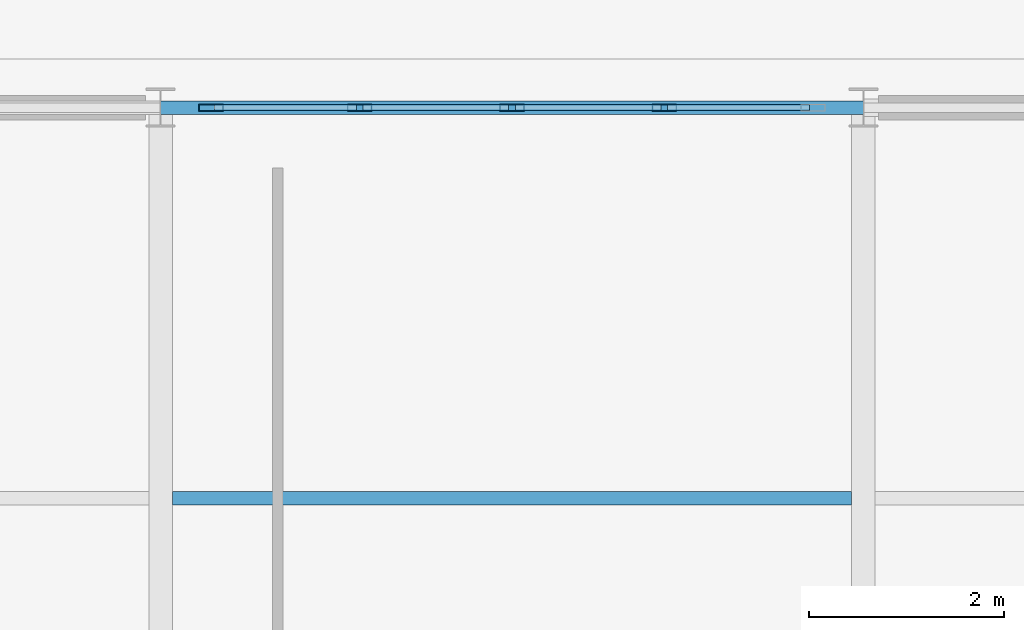
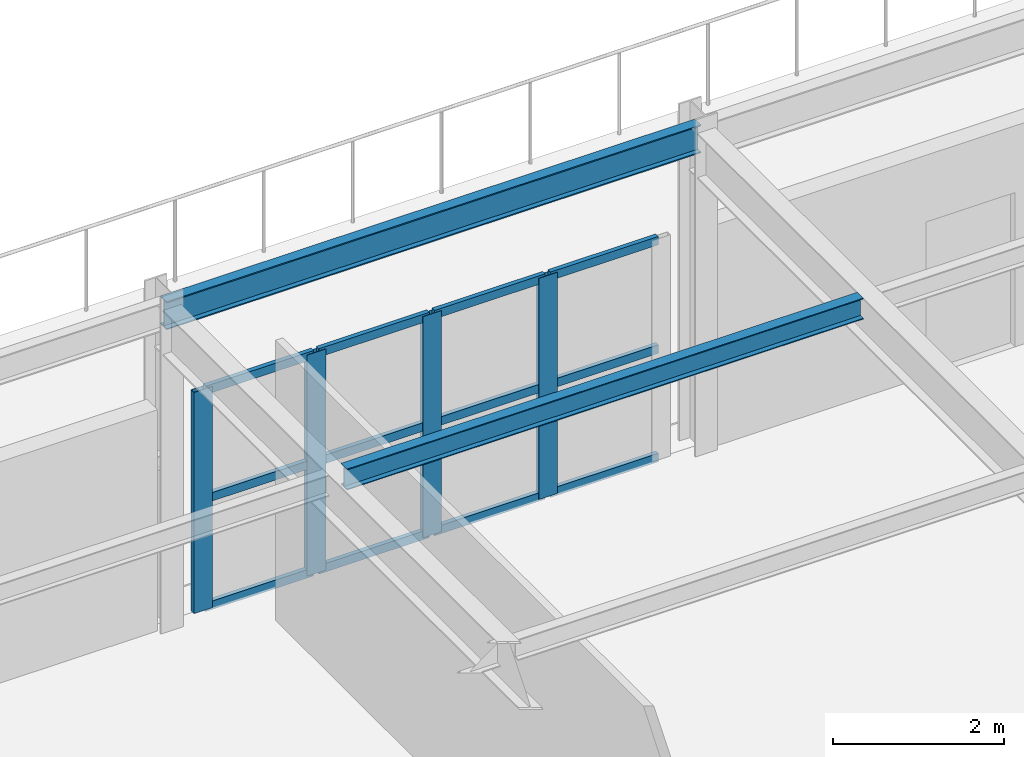
# One storey, part 18 of 41: 16 members, 2 beams, 1 element without a shape of its own.
"""IFC4 building model written with IfcOpenShell, lengths in metres."""

from ifc_helpers import new_model, si_unit, direction, frame, origin, origin_2d, place, context, subcontext, project, spatial, hollow_rectangle, i_section, extrude, material, layer, layer_set, material_profile, profile_set, type_object, element, aggregate, save


model = new_model("IFC4")

# Units and contexts
model_context = context("Model", 3, precision=1e-05, world=origin(), true_north=direction((0.0, 1.0)))
body_context = subcontext(model_context, "Body", "Model", "MODEL_VIEW")
ifc_project = project(units=[si_unit("LENGTHUNIT", "METRE"), si_unit("AREAUNIT", "SQUARE_METRE"), si_unit("VOLUMEUNIT", "CUBIC_METRE"), si_unit("PLANEANGLEUNIT", "RADIAN"), si_unit("MASSUNIT", "GRAM", prefix="KILO")], contexts=[model_context])

# Site, building, storey
site_placement = place(None, origin())
site = spatial("IfcSite", under=ifc_project, at=site_placement, CompositionType="ELEMENT")
building_placement = place(site_placement, origin())
building = spatial("IfcBuilding", under=site, at=building_placement, Name="Solvadek Multi-Sports Hall", CompositionType="ELEMENT")
storey_placement = place(building_placement, frame((0.0, 0.0, 14.39990234375)))
storey = spatial("IfcBuildingStorey", under=building, at=storey_placement, Name="L03", CompositionType="ELEMENT", Elevation=14.39990234375)

# Curtain wall, members
ifc_material_1 = material(Name="Anodised aluminium", Category="aluminium")
ifc_layer = layer(ifc_material_1, 0.159912109375, Name="Anodised aluminium")
ifc_layer_set = layer_set([ifc_layer], Name="Anodised aluminium")
curtain_wall_type = type_object("IfcCurtainWallType", Name="ENV-CW-624X315", PredefinedType="USERDEFINED", material=ifc_layer_set)
curtain_wall_placement = place(storey_placement, origin())
curtain_wall = element("IfcCurtainWall", 1, at=curtain_wall_placement, inside=storey, type_object=curtain_wall_type, Name="L03 Perimeter Bay Curtain Wall #206", ObjectType="CURTAIN WALL", PredefinedType="USERDEFINED")
ifc_material_profile_1 = material_profile(ifc_material_1, hollow_rectangle(XDim=0.070068359375, YDim=0.25, WallThickness=0.0048828125, at=origin_2d()), Name="ALU-M 250x70x5")
ifc_profile_set_1 = profile_set([ifc_material_profile_1], Name="Anodised aluminium")
member_type_1 = type_object("IfcMemberType", Name="ENV-CWM-05", PredefinedType="MULLION", material=ifc_profile_set_1)
member_1_placement = place(storey_placement, frame((29.31494140625, 104.39990234375, 0.0), z_axis=(0.0, 0.0, 1.0), x_axis=(0.0, 1.0, 0.0)))
member_1 = element("IfcMember", 2, at=member_1_placement, type_object=member_type_1, Name="CW-44 mullion 1", PredefinedType="MULLION", context=body_context, shape_type="SweptSolid", body=[
    extrude(hollow_rectangle(XDim=0.070068359375, YDim=0.25, WallThickness=0.0048828125, at=origin_2d()), origin(), (0.0, 0.0, 1.0), 3.150146484375),
])
member_2_placement = place(storey_placement, frame((30.840087890625, 104.39990234375, 0.0), z_axis=(0.0, 0.0, 1.0), x_axis=(0.0, 1.0, 0.0)))
member_2 = element("IfcMember", 3, at=member_2_placement, type_object=member_type_1, Name="CW-44 mullion 2", PredefinedType="MULLION", context=body_context, shape_type="SweptSolid", body=[
    extrude(hollow_rectangle(XDim=0.070068359375, YDim=0.25, WallThickness=0.0048828125, at=origin_2d()), origin(), (0.0, 0.0, 1.0), 3.150146484375),
])
member_3_placement = place(storey_placement, frame((32.39990234375, 104.39990234375, 0.0), z_axis=(0.0, 0.0, 1.0), x_axis=(0.0, 1.0, 0.0)))
member_3 = element("IfcMember", 4, at=member_3_placement, type_object=member_type_1, Name="CW-44 mullion 3", PredefinedType="MULLION", context=body_context, shape_type="SweptSolid", body=[
    extrude(hollow_rectangle(XDim=0.070068359375, YDim=0.25, WallThickness=0.0048828125, at=origin_2d()), origin(), (0.0, 0.0, 1.0), 3.150146484375),
])
member_4_placement = place(storey_placement, frame((33.9599609375, 104.39990234375, 0.0), z_axis=(0.0, 0.0, 1.0), x_axis=(0.0, 1.0, 0.0)))
member_4 = element("IfcMember", 5, at=member_4_placement, type_object=member_type_1, Name="CW-44 mullion 4", PredefinedType="MULLION", context=body_context, shape_type="SweptSolid", body=[
    extrude(hollow_rectangle(XDim=0.070068359375, YDim=0.25, WallThickness=0.0048828125, at=origin_2d()), origin(), (0.0, 0.0, 1.0), 3.150146484375),
])
ifc_material_profile_2 = material_profile(ifc_material_1, hollow_rectangle(XDim=0.06005859375, YDim=0.1201171875, WallThickness=0.00390625, at=origin_2d()), Name="ALU-T 120x60x4")
ifc_profile_set_2 = profile_set([ifc_material_profile_2], Name="Anodised aluminium")
member_type_2 = type_object("IfcMemberType", Name="ENV-CWT-01", PredefinedType="USERDEFINED", material=ifc_profile_set_2)
member_5_placement = place(storey_placement, frame((29.35009765625, 104.39990234375, 0.030029296875), z_axis=(1.0, 0.0, 0.0), x_axis=(0.0, 1.0, 0.0)))
member_5 = element("IfcMember", 6, at=member_5_placement, type_object=member_type_2, Name="CW-44 transom 1.1", ObjectType="TRANSOM", PredefinedType="USERDEFINED", context=body_context, shape_type="SweptSolid", body=[
    extrude(hollow_rectangle(XDim=0.06005859375, YDim=0.1201171875, WallThickness=0.00390625, at=origin_2d()), origin(), (0.0, 0.0, 1.0), 1.454833984375),
])
member_6_placement = place(storey_placement, frame((29.35009765625, 104.39990234375, 1.5751953125), z_axis=(1.0, 0.0, 0.0), x_axis=(0.0, 1.0, 0.0)))
member_6 = element("IfcMember", 7, at=member_6_placement, type_object=member_type_2, Name="CW-44 transom 1.2", ObjectType="TRANSOM", PredefinedType="USERDEFINED", context=body_context, shape_type="SweptSolid", body=[
    extrude(hollow_rectangle(XDim=0.06005859375, YDim=0.1201171875, WallThickness=0.00390625, at=origin_2d()), origin(), (0.0, 0.0, 1.0), 1.454833984375),
])
member_7_placement = place(storey_placement, frame((29.35009765625, 104.39990234375, 3.1201171875), z_axis=(1.0, 0.0, 0.0), x_axis=(0.0, 1.0, 0.0)))
member_7 = element("IfcMember", 8, at=member_7_placement, type_object=member_type_2, Name="CW-44 transom 1.3", ObjectType="TRANSOM", PredefinedType="USERDEFINED", context=body_context, shape_type="SweptSolid", body=[
    extrude(hollow_rectangle(XDim=0.06005859375, YDim=0.1201171875, WallThickness=0.00390625, at=origin_2d()), origin(), (0.0, 0.0, 1.0), 1.454833984375),
])
member_8_placement = place(storey_placement, frame((30.875, 104.39990234375, 0.030029296875), z_axis=(1.0, 0.0, 0.0), x_axis=(0.0, 1.0, 0.0)))
member_8 = element("IfcMember", 9, at=member_8_placement, type_object=member_type_2, Name="CW-44 transom 2.1", ObjectType="TRANSOM", PredefinedType="USERDEFINED", context=body_context, shape_type="SweptSolid", body=[
    extrude(hollow_rectangle(XDim=0.06005859375, YDim=0.1201171875, WallThickness=0.00390625, at=origin_2d()), origin(), (0.0, 0.0, 1.0), 1.489990234375),
])
member_9_placement = place(storey_placement, frame((30.875, 104.39990234375, 1.5751953125), z_axis=(1.0, 0.0, 0.0), x_axis=(0.0, 1.0, 0.0)))
member_9 = element("IfcMember", 10, at=member_9_placement, type_object=member_type_2, Name="CW-44 transom 2.2", ObjectType="TRANSOM", PredefinedType="USERDEFINED", context=body_context, shape_type="SweptSolid", body=[
    extrude(hollow_rectangle(XDim=0.06005859375, YDim=0.1201171875, WallThickness=0.00390625, at=origin_2d()), origin(), (0.0, 0.0, 1.0), 1.489990234375),
])
member_10_placement = place(storey_placement, frame((30.875, 104.39990234375, 3.1201171875), z_axis=(1.0, 0.0, 0.0), x_axis=(0.0, 1.0, 0.0)))
member_10 = element("IfcMember", 11, at=member_10_placement, type_object=member_type_2, Name="CW-44 transom 2.3", ObjectType="TRANSOM", PredefinedType="USERDEFINED", context=body_context, shape_type="SweptSolid", body=[
    extrude(hollow_rectangle(XDim=0.06005859375, YDim=0.1201171875, WallThickness=0.00390625, at=origin_2d()), origin(), (0.0, 0.0, 1.0), 1.489990234375),
])
member_11_placement = place(storey_placement, frame((32.43505859375, 104.39990234375, 0.030029296875), z_axis=(1.0, 0.0, 0.0), x_axis=(0.0, 1.0, 0.0)))
member_11 = element("IfcMember", 12, at=member_11_placement, type_object=member_type_2, Name="CW-44 transom 3.1", ObjectType="TRANSOM", PredefinedType="USERDEFINED", context=body_context, shape_type="SweptSolid", body=[
    extrude(hollow_rectangle(XDim=0.06005859375, YDim=0.1201171875, WallThickness=0.00390625, at=origin_2d()), origin(), (0.0, 0.0, 1.0), 1.489990234375),
])
member_12_placement = place(storey_placement, frame((32.43505859375, 104.39990234375, 1.5751953125), z_axis=(1.0, 0.0, 0.0), x_axis=(0.0, 1.0, 0.0)))
member_12 = element("IfcMember", 13, at=member_12_placement, type_object=member_type_2, Name="CW-44 transom 3.2", ObjectType="TRANSOM", PredefinedType="USERDEFINED", context=body_context, shape_type="SweptSolid", body=[
    extrude(hollow_rectangle(XDim=0.06005859375, YDim=0.1201171875, WallThickness=0.00390625, at=origin_2d()), origin(), (0.0, 0.0, 1.0), 1.489990234375),
])
member_13_placement = place(storey_placement, frame((32.43505859375, 104.39990234375, 3.1201171875), z_axis=(1.0, 0.0, 0.0), x_axis=(0.0, 1.0, 0.0)))
member_13 = element("IfcMember", 14, at=member_13_placement, type_object=member_type_2, Name="CW-44 transom 3.3", ObjectType="TRANSOM", PredefinedType="USERDEFINED", context=body_context, shape_type="SweptSolid", body=[
    extrude(hollow_rectangle(XDim=0.06005859375, YDim=0.1201171875, WallThickness=0.00390625, at=origin_2d()), origin(), (0.0, 0.0, 1.0), 1.489990234375),
])
member_14_placement = place(storey_placement, frame((33.9951171875, 104.39990234375, 0.030029296875), z_axis=(1.0, 0.0, 0.0), x_axis=(0.0, 1.0, 0.0)))
member_14 = element("IfcMember", 15, at=member_14_placement, type_object=member_type_2, Name="CW-44 transom 4.1", ObjectType="TRANSOM", PredefinedType="USERDEFINED", context=body_context, shape_type="SweptSolid", body=[
    extrude(hollow_rectangle(XDim=0.06005859375, YDim=0.1201171875, WallThickness=0.00390625, at=origin_2d()), origin(), (0.0, 0.0, 1.0), 1.454833984375),
])
member_15_placement = place(storey_placement, frame((33.9951171875, 104.39990234375, 1.5751953125), z_axis=(1.0, 0.0, 0.0), x_axis=(0.0, 1.0, 0.0)))
member_15 = element("IfcMember", 16, at=member_15_placement, type_object=member_type_2, Name="CW-44 transom 4.2", ObjectType="TRANSOM", PredefinedType="USERDEFINED", context=body_context, shape_type="SweptSolid", body=[
    extrude(hollow_rectangle(XDim=0.06005859375, YDim=0.1201171875, WallThickness=0.00390625, at=origin_2d()), origin(), (0.0, 0.0, 1.0), 1.454833984375),
])
member_16_placement = place(storey_placement, frame((33.9951171875, 104.39990234375, 3.1201171875), z_axis=(1.0, 0.0, 0.0), x_axis=(0.0, 1.0, 0.0)))
member_16 = element("IfcMember", 17, at=member_16_placement, type_object=member_type_2, Name="CW-44 transom 4.3", ObjectType="TRANSOM", PredefinedType="USERDEFINED", context=body_context, shape_type="SweptSolid", body=[
    extrude(hollow_rectangle(XDim=0.06005859375, YDim=0.1201171875, WallThickness=0.00390625, at=origin_2d()), origin(), (0.0, 0.0, 1.0), 1.454833984375),
])
aggregate(curtain_wall, [member_1, member_2, member_3, member_4, member_5, member_6, member_7, member_8, member_9, member_10, member_11, member_12, member_13, member_14, member_15, member_16])

# Beams
ifc_material_2 = material(Name="Steel E350 (350 MPa)", Category="steel")
ifc_material_profile_3 = material_profile(ifc_material_2, i_section(OverallWidth=0.139892578125, OverallDepth=0.39990234375, WebThickness=0.0087890625, FlangeThickness=0.01611328125, at=origin_2d()), Name="ISMB 400")
ifc_profile_set_3 = profile_set([ifc_material_profile_3], Name="Steel E350 (350 MPa)")
beam_type_1 = type_object("IfcBeamType", Name="STR-BM-ISMB400", PredefinedType="BEAM", material=ifc_profile_set_3)
beam_1_placement = place(storey_placement, frame((28.800048828125, 104.39990234375, 4.400146484375), z_axis=(1.0, 0.0, 0.0), x_axis=(0.0, 1.0, 0.0)))
element("IfcBeam", 18, at=beam_1_placement, inside=storey, type_object=beam_type_1, Name="L03 Girder B-10 #1645", PredefinedType="BEAM", context=body_context, shape_type="SweptSolid", body=[
    extrude(i_section(OverallWidth=0.139892578125, OverallDepth=0.39990234375, WebThickness=0.0087890625, FlangeThickness=0.01611328125, at=origin_2d()), origin(), (0.0, 0.0, 1.0), 7.199951171875),
])
ifc_material_profile_4 = material_profile(ifc_material_2, i_section(OverallWidth=0.139892578125, OverallDepth=0.300048828125, WebThickness=0.0078125, FlangeThickness=0.01318359375, at=origin_2d()), Name="ISMB 300")
ifc_profile_set_4 = profile_set([ifc_material_profile_4], Name="Steel E350 (350 MPa)")
beam_type_2 = type_object("IfcBeamType", Name="STR-JST-ISMB300", PredefinedType="JOIST", material=ifc_profile_set_4)
beam_2_placement = place(storey_placement, frame((28.919921875, 100.39990234375, 4.4501953125), z_axis=(1.0, 0.0, 0.0), x_axis=(0.0, 1.0, 0.0)))
element("IfcBeam", 19, at=beam_2_placement, inside=storey, type_object=beam_type_2, Name="L03 Composite Joist J-03 #939", PredefinedType="JOIST", context=body_context, shape_type="SweptSolid", body=[
    extrude(i_section(OverallWidth=0.139892578125, OverallDepth=0.300048828125, WebThickness=0.0078125, FlangeThickness=0.01318359375, at=origin_2d()), origin(), (0.0, 0.0, 1.0), 6.9599609375),
])

save(model, "model.ifc")
